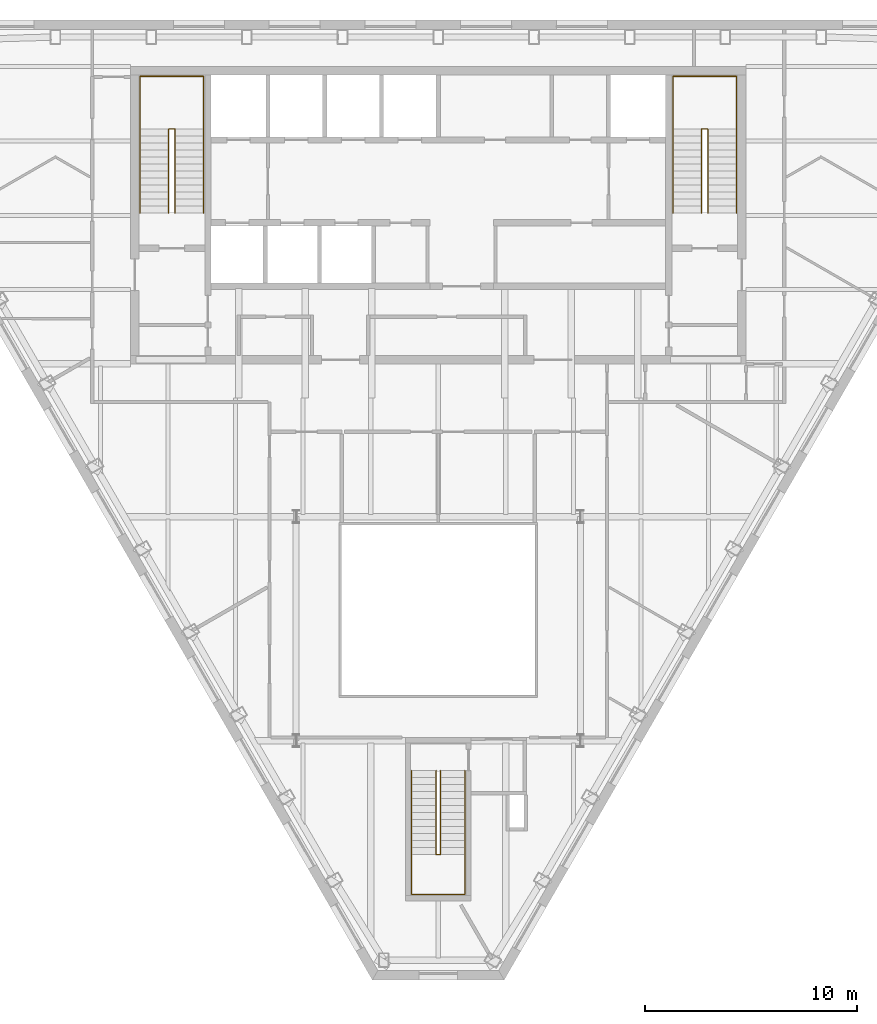
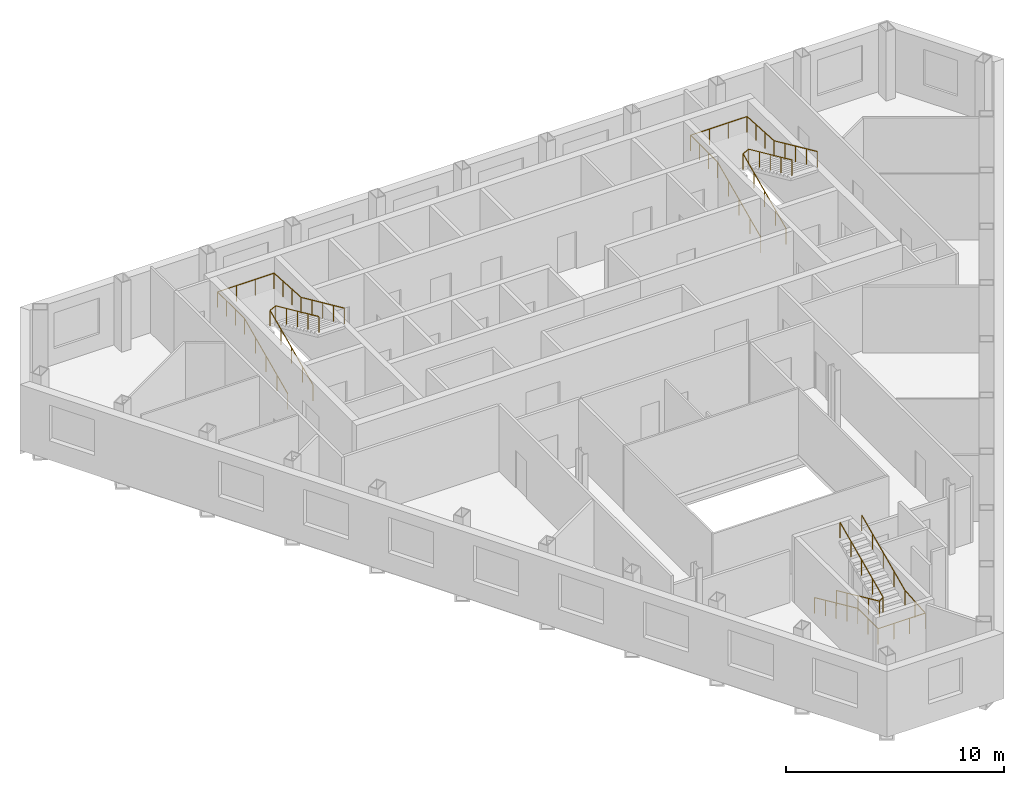
# One storey, part 10 of 10: 6 railings.
"""IFC4 building model written with IfcOpenShell, lengths in metres."""

from ifc_helpers import new_model, si_unit, direction, frame, origin, origin_2d, place, context, subcontext, project, spatial, circle, extrude, material, type_object, element, save


model = new_model("IFC4")

# Units and contexts
model_context = context("Model", 3, precision=1e-05, world=origin(), true_north=direction((0.0, 1.0)))
body_context = subcontext(model_context, "Body", "Model", "MODEL_VIEW")
ifc_project = project(units=[si_unit("LENGTHUNIT", "METRE"), si_unit("AREAUNIT", "SQUARE_METRE"), si_unit("VOLUMEUNIT", "CUBIC_METRE"), si_unit("PLANEANGLEUNIT", "RADIAN"), si_unit("MASSUNIT", "GRAM", prefix="KILO")], contexts=[model_context])

# Site, building, storey
site_placement = place(None, origin())
site = spatial("IfcSite", under=ifc_project, at=site_placement, CompositionType="ELEMENT")
building_placement = place(site_placement, origin())
building = spatial("IfcBuilding", under=site, at=building_placement, Name="Njiva Tower", CompositionType="ELEMENT")
storey_placement = place(building_placement, frame((0.0, 0.0, 245.4)))
storey = spatial("IfcBuildingStorey", under=building, at=storey_placement, Name="L55", CompositionType="ELEMENT", Elevation=245.4)

# Railings
ifc_material = material(Name="Stainless steel", Category="steel")
railing_type = type_object("IfcRailingType", Name="RL1 Stair handrail 900", PredefinedType="HANDRAIL", material=ifc_material)
railing_1_placement = place(storey_placement, frame((-14.05, 11.1, 0.15)))
element("IfcRailing", 1, at=railing_1_placement, inside=storey, type_object=railing_type, Name="Stair A handrail", PredefinedType="HANDRAIL", context=body_context, shape_type="SweptSolid", body=[
    extrude(circle(Radius=0.024, at=origin_2d()), frame((0.0, 0.0, 0.876), z_axis=(0.0, 0.910366477463, 0.413802944301), x_axis=(-1.0, 0.0, 0.0)), (0.0, 0.0, 1.0), 4.3499),
    extrude(circle(Radius=0.024, at=origin_2d()), frame((0.0, 3.96, 2.676), z_axis=(0.0, 1.0, 0.0), x_axis=(-1.0, 0.0, 0.0)), (0.0, 0.0, 1.0), 2.49),
    extrude(circle(Radius=0.024, at=origin_2d()), frame((0.0, 6.45, 2.676), z_axis=(1.0, 0.0, 0.0), x_axis=(0.0, 1.0, 0.0)), (0.0, 0.0, 1.0), 3.0),
    extrude(circle(Radius=0.024, at=origin_2d()), frame((3.0, 6.45, 2.676), z_axis=(0.0, -0.998190436793, 0.060131954024), x_axis=(1.0, 0.0, 0.0)), (0.0, 0.0, 1.0), 2.4945),
    extrude(circle(Radius=0.024, at=origin_2d()), frame((3.0, 3.96, 2.826), z_axis=(0.0, -0.910366477463, 0.413802944301), x_axis=(1.0, 0.0, 0.0)), (0.0, 0.0, 1.0), 4.3499),
    extrude(circle(Radius=0.021, at=origin_2d()), origin(), (0.0, 0.0, 1.0), 0.852),
    extrude(circle(Radius=0.021, at=origin_2d()), frame((0.0, 0.99, 0.45)), (0.0, 0.0, 1.0), 0.852),
    extrude(circle(Radius=0.021, at=origin_2d()), frame((0.0, 1.98, 0.9)), (0.0, 0.0, 1.0), 0.852),
    extrude(circle(Radius=0.021, at=origin_2d()), frame((0.0, 2.97, 1.35)), (0.0, 0.0, 1.0), 0.852),
    extrude(circle(Radius=0.021, at=origin_2d()), frame((0.0, 3.96, 1.8)), (0.0, 0.0, 1.0), 0.852),
    extrude(circle(Radius=0.021, at=origin_2d()), frame((0.0, 4.79, 1.8)), (0.0, 0.0, 1.0), 0.852),
    extrude(circle(Radius=0.021, at=origin_2d()), frame((0.0, 5.62, 1.8)), (0.0, 0.0, 1.0), 0.852),
    extrude(circle(Radius=0.021, at=origin_2d()), frame((0.0, 6.45, 1.8)), (0.0, 0.0, 1.0), 0.852),
    extrude(circle(Radius=0.021, at=origin_2d()), frame((1.0, 6.45, 1.8)), (0.0, 0.0, 1.0), 0.852),
    extrude(circle(Radius=0.021, at=origin_2d()), frame((2.0, 6.45, 1.8)), (0.0, 0.0, 1.0), 0.852),
    extrude(circle(Radius=0.021, at=origin_2d()), frame((3.0, 6.45, 1.8)), (0.0, 0.0, 1.0), 0.852),
    extrude(circle(Radius=0.021, at=origin_2d()), frame((3.0, 5.62, 1.85)), (0.0, 0.0, 1.0), 0.852),
    extrude(circle(Radius=0.021, at=origin_2d()), frame((3.0, 4.79, 1.9)), (0.0, 0.0, 1.0), 0.852),
    extrude(circle(Radius=0.021, at=origin_2d()), frame((3.0, 3.96, 1.95)), (0.0, 0.0, 1.0), 0.852),
    extrude(circle(Radius=0.021, at=origin_2d()), frame((3.0, 2.97, 2.4)), (0.0, 0.0, 1.0), 0.852),
    extrude(circle(Radius=0.021, at=origin_2d()), frame((3.0, 1.98, 2.85)), (0.0, 0.0, 1.0), 0.852),
    extrude(circle(Radius=0.021, at=origin_2d()), frame((3.0, 0.99, 3.3)), (0.0, 0.0, 1.0), 0.852),
    extrude(circle(Radius=0.021, at=origin_2d()), frame((3.0, 0.0, 3.75)), (0.0, 0.0, 1.0), 0.852),
])
railing_2_placement = place(storey_placement, frame((-12.7, 11.1, 0.15)))
element("IfcRailing", 2, at=railing_2_placement, inside=storey, type_object=railing_type, Name="Stair A handrail", PredefinedType="HANDRAIL", context=body_context, shape_type="SweptSolid", body=[
    extrude(circle(Radius=0.024, at=origin_2d()), frame((0.0, 0.0, 0.876), z_axis=(0.0, 0.910366477463, 0.413802944301), x_axis=(-1.0, 0.0, 0.0)), (0.0, 0.0, 1.0), 4.3499),
    extrude(circle(Radius=0.024, at=origin_2d()), frame((0.0, 3.96, 2.676), z_axis=(0.894427191, 0.0, 0.4472135955), x_axis=(0.0, 1.0, 0.0)), (0.0, 0.0, 1.0), 0.3354),
    extrude(circle(Radius=0.024, at=origin_2d()), frame((0.3, 3.96, 2.826), z_axis=(0.0, -0.910366477463, 0.413802944301), x_axis=(1.0, 0.0, 0.0)), (0.0, 0.0, 1.0), 4.3499),
    extrude(circle(Radius=0.021, at=origin_2d()), origin(), (0.0, 0.0, 1.0), 0.852),
    extrude(circle(Radius=0.021, at=origin_2d()), frame((0.0, 0.99, 0.45)), (0.0, 0.0, 1.0), 0.852),
    extrude(circle(Radius=0.021, at=origin_2d()), frame((0.0, 1.98, 0.9)), (0.0, 0.0, 1.0), 0.852),
    extrude(circle(Radius=0.021, at=origin_2d()), frame((0.0, 2.97, 1.35)), (0.0, 0.0, 1.0), 0.852),
    extrude(circle(Radius=0.021, at=origin_2d()), frame((0.0, 3.96, 1.8)), (0.0, 0.0, 1.0), 0.852),
    extrude(circle(Radius=0.021, at=origin_2d()), frame((0.3, 3.96, 1.95)), (0.0, 0.0, 1.0), 0.852),
    extrude(circle(Radius=0.021, at=origin_2d()), frame((0.3, 2.97, 2.4)), (0.0, 0.0, 1.0), 0.852),
    extrude(circle(Radius=0.021, at=origin_2d()), frame((0.3, 1.98, 2.85)), (0.0, 0.0, 1.0), 0.852),
    extrude(circle(Radius=0.021, at=origin_2d()), frame((0.3, 0.99, 3.3)), (0.0, 0.0, 1.0), 0.852),
    extrude(circle(Radius=0.021, at=origin_2d()), frame((0.3, 0.0, 3.75)), (0.0, 0.0, 1.0), 0.852),
])
railing_3_placement = place(storey_placement, frame((11.05, 11.1, 0.15)))
element("IfcRailing", 3, at=railing_3_placement, inside=storey, type_object=railing_type, Name="Stair B handrail", PredefinedType="HANDRAIL", context=body_context, shape_type="SweptSolid", body=[
    extrude(circle(Radius=0.024, at=origin_2d()), frame((0.0, 0.0, 0.876), z_axis=(0.0, 0.910366477463, 0.413802944301), x_axis=(-1.0, 0.0, 0.0)), (0.0, 0.0, 1.0), 4.3499),
    extrude(circle(Radius=0.024, at=origin_2d()), frame((0.0, 3.96, 2.676), z_axis=(0.0, 1.0, 0.0), x_axis=(-1.0, 0.0, 0.0)), (0.0, 0.0, 1.0), 2.49),
    extrude(circle(Radius=0.024, at=origin_2d()), frame((0.0, 6.45, 2.676), z_axis=(1.0, 0.0, 0.0), x_axis=(0.0, 1.0, 0.0)), (0.0, 0.0, 1.0), 3.0),
    extrude(circle(Radius=0.024, at=origin_2d()), frame((3.0, 6.45, 2.676), z_axis=(0.0, -0.998190436793, 0.060131954024), x_axis=(1.0, 0.0, 0.0)), (0.0, 0.0, 1.0), 2.4945),
    extrude(circle(Radius=0.024, at=origin_2d()), frame((3.0, 3.96, 2.826), z_axis=(0.0, -0.910366477463, 0.413802944301), x_axis=(1.0, 0.0, 0.0)), (0.0, 0.0, 1.0), 4.3499),
    extrude(circle(Radius=0.021, at=origin_2d()), origin(), (0.0, 0.0, 1.0), 0.852),
    extrude(circle(Radius=0.021, at=origin_2d()), frame((0.0, 0.99, 0.45)), (0.0, 0.0, 1.0), 0.852),
    extrude(circle(Radius=0.021, at=origin_2d()), frame((0.0, 1.98, 0.9)), (0.0, 0.0, 1.0), 0.852),
    extrude(circle(Radius=0.021, at=origin_2d()), frame((0.0, 2.97, 1.35)), (0.0, 0.0, 1.0), 0.852),
    extrude(circle(Radius=0.021, at=origin_2d()), frame((0.0, 3.96, 1.8)), (0.0, 0.0, 1.0), 0.852),
    extrude(circle(Radius=0.021, at=origin_2d()), frame((0.0, 4.79, 1.8)), (0.0, 0.0, 1.0), 0.852),
    extrude(circle(Radius=0.021, at=origin_2d()), frame((0.0, 5.62, 1.8)), (0.0, 0.0, 1.0), 0.852),
    extrude(circle(Radius=0.021, at=origin_2d()), frame((0.0, 6.45, 1.8)), (0.0, 0.0, 1.0), 0.852),
    extrude(circle(Radius=0.021, at=origin_2d()), frame((1.0, 6.45, 1.8)), (0.0, 0.0, 1.0), 0.852),
    extrude(circle(Radius=0.021, at=origin_2d()), frame((2.0, 6.45, 1.8)), (0.0, 0.0, 1.0), 0.852),
    extrude(circle(Radius=0.021, at=origin_2d()), frame((3.0, 6.45, 1.8)), (0.0, 0.0, 1.0), 0.852),
    extrude(circle(Radius=0.021, at=origin_2d()), frame((3.0, 5.62, 1.85)), (0.0, 0.0, 1.0), 0.852),
    extrude(circle(Radius=0.021, at=origin_2d()), frame((3.0, 4.79, 1.9)), (0.0, 0.0, 1.0), 0.852),
    extrude(circle(Radius=0.021, at=origin_2d()), frame((3.0, 3.96, 1.95)), (0.0, 0.0, 1.0), 0.852),
    extrude(circle(Radius=0.021, at=origin_2d()), frame((3.0, 2.97, 2.4)), (0.0, 0.0, 1.0), 0.852),
    extrude(circle(Radius=0.021, at=origin_2d()), frame((3.0, 1.98, 2.85)), (0.0, 0.0, 1.0), 0.852),
    extrude(circle(Radius=0.021, at=origin_2d()), frame((3.0, 0.99, 3.3)), (0.0, 0.0, 1.0), 0.852),
    extrude(circle(Radius=0.021, at=origin_2d()), frame((3.0, 0.0, 3.75)), (0.0, 0.0, 1.0), 0.852),
])
railing_4_placement = place(storey_placement, frame((12.4, 11.1, 0.15)))
element("IfcRailing", 4, at=railing_4_placement, inside=storey, type_object=railing_type, Name="Stair B handrail", PredefinedType="HANDRAIL", context=body_context, shape_type="SweptSolid", body=[
    extrude(circle(Radius=0.024, at=origin_2d()), frame((0.0, 0.0, 0.876), z_axis=(0.0, 0.910366477463, 0.413802944301), x_axis=(-1.0, 0.0, 0.0)), (0.0, 0.0, 1.0), 4.3499),
    extrude(circle(Radius=0.024, at=origin_2d()), frame((0.0, 3.96, 2.676), z_axis=(0.894427191, 0.0, 0.4472135955), x_axis=(0.0, 1.0, 0.0)), (0.0, 0.0, 1.0), 0.3354),
    extrude(circle(Radius=0.024, at=origin_2d()), frame((0.3, 3.96, 2.826), z_axis=(0.0, -0.910366477463, 0.413802944301), x_axis=(1.0, 0.0, 0.0)), (0.0, 0.0, 1.0), 4.3499),
    extrude(circle(Radius=0.021, at=origin_2d()), origin(), (0.0, 0.0, 1.0), 0.852),
    extrude(circle(Radius=0.021, at=origin_2d()), frame((0.0, 0.99, 0.45)), (0.0, 0.0, 1.0), 0.852),
    extrude(circle(Radius=0.021, at=origin_2d()), frame((0.0, 1.98, 0.9)), (0.0, 0.0, 1.0), 0.852),
    extrude(circle(Radius=0.021, at=origin_2d()), frame((0.0, 2.97, 1.35)), (0.0, 0.0, 1.0), 0.852),
    extrude(circle(Radius=0.021, at=origin_2d()), frame((0.0, 3.96, 1.8)), (0.0, 0.0, 1.0), 0.852),
    extrude(circle(Radius=0.021, at=origin_2d()), frame((0.3, 3.96, 1.95)), (0.0, 0.0, 1.0), 0.852),
    extrude(circle(Radius=0.021, at=origin_2d()), frame((0.3, 2.97, 2.4)), (0.0, 0.0, 1.0), 0.852),
    extrude(circle(Radius=0.021, at=origin_2d()), frame((0.3, 1.98, 2.85)), (0.0, 0.0, 1.0), 0.852),
    extrude(circle(Radius=0.021, at=origin_2d()), frame((0.3, 0.99, 3.3)), (0.0, 0.0, 1.0), 0.852),
    extrude(circle(Radius=0.021, at=origin_2d()), frame((0.3, 0.0, 3.75)), (0.0, 0.0, 1.0), 0.852),
])
railing_5_placement = place(storey_placement, frame((-1.25, -15.16, 0.15)))
element("IfcRailing", 5, at=railing_5_placement, inside=storey, type_object=railing_type, Name="Stair C handrail", PredefinedType="HANDRAIL", context=body_context, shape_type="SweptSolid", body=[
    extrude(circle(Radius=0.024, at=origin_2d()), frame((0.0, 0.0, 0.876), z_axis=(0.0, -0.910366477463, 0.413802944301), x_axis=(1.0, 0.0, 0.0)), (0.0, 0.0, 1.0), 4.3499),
    extrude(circle(Radius=0.024, at=origin_2d()), frame((0.0, -3.96, 2.676), z_axis=(0.0, -1.0, 0.0), x_axis=(1.0, 0.0, 0.0)), (0.0, 0.0, 1.0), 1.88),
    extrude(circle(Radius=0.024, at=origin_2d()), frame((0.0, -5.84, 2.676), z_axis=(1.0, 0.0, 0.0), x_axis=(0.0, 1.0, 0.0)), (0.0, 0.0, 1.0), 2.5),
    extrude(circle(Radius=0.024, at=origin_2d()), frame((2.5, -5.84, 2.676), z_axis=(0.0, 0.996832115713, 0.079534477318), x_axis=(-1.0, 0.0, 0.0)), (0.0, 0.0, 1.0), 1.886),
    extrude(circle(Radius=0.024, at=origin_2d()), frame((2.5, -3.96, 2.826), z_axis=(0.0, 0.910366477463, 0.413802944301), x_axis=(-1.0, 0.0, 0.0)), (0.0, 0.0, 1.0), 4.3499),
    extrude(circle(Radius=0.021, at=origin_2d()), origin(), (0.0, 0.0, 1.0), 0.852),
    extrude(circle(Radius=0.021, at=origin_2d()), frame((0.0, -0.99, 0.45)), (0.0, 0.0, 1.0), 0.852),
    extrude(circle(Radius=0.021, at=origin_2d()), frame((0.0, -1.98, 0.9)), (0.0, 0.0, 1.0), 0.852),
    extrude(circle(Radius=0.021, at=origin_2d()), frame((0.0, -2.97, 1.35)), (0.0, 0.0, 1.0), 0.852),
    extrude(circle(Radius=0.021, at=origin_2d()), frame((0.0, -3.96, 1.8)), (0.0, 0.0, 1.0), 0.852),
    extrude(circle(Radius=0.021, at=origin_2d()), frame((0.0, -4.9, 1.8)), (0.0, 0.0, 1.0), 0.852),
    extrude(circle(Radius=0.021, at=origin_2d()), frame((0.0, -5.84, 1.8)), (0.0, 0.0, 1.0), 0.852),
    extrude(circle(Radius=0.021, at=origin_2d()), frame((0.8333, -5.84, 1.8)), (0.0, 0.0, 1.0), 0.852),
    extrude(circle(Radius=0.021, at=origin_2d()), frame((1.6667, -5.84, 1.8)), (0.0, 0.0, 1.0), 0.852),
    extrude(circle(Radius=0.021, at=origin_2d()), frame((2.5, -5.84, 1.8)), (0.0, 0.0, 1.0), 0.852),
    extrude(circle(Radius=0.021, at=origin_2d()), frame((2.5, -4.9, 1.875)), (0.0, 0.0, 1.0), 0.852),
    extrude(circle(Radius=0.021, at=origin_2d()), frame((2.5, -3.96, 1.95)), (0.0, 0.0, 1.0), 0.852),
    extrude(circle(Radius=0.021, at=origin_2d()), frame((2.5, -2.97, 2.4)), (0.0, 0.0, 1.0), 0.852),
    extrude(circle(Radius=0.021, at=origin_2d()), frame((2.5, -1.98, 2.85)), (0.0, 0.0, 1.0), 0.852),
    extrude(circle(Radius=0.021, at=origin_2d()), frame((2.5, -0.99, 3.3)), (0.0, 0.0, 1.0), 0.852),
    extrude(circle(Radius=0.021, at=origin_2d()), frame((2.5, 0.0, 3.75)), (0.0, 0.0, 1.0), 0.852),
])
railing_6_placement = place(storey_placement, frame((-0.1, -15.16, 0.15)))
element("IfcRailing", 6, at=railing_6_placement, inside=storey, type_object=railing_type, Name="Stair C handrail", PredefinedType="HANDRAIL", context=body_context, shape_type="SweptSolid", body=[
    extrude(circle(Radius=0.024, at=origin_2d()), frame((0.0, 0.0, 0.876), z_axis=(0.0, -0.910366477463, 0.413802944301), x_axis=(1.0, 0.0, 0.0)), (0.0, 0.0, 1.0), 4.3499),
    extrude(circle(Radius=0.024, at=origin_2d()), frame((0.0, -3.96, 2.676), z_axis=(0.8, 0.0, 0.6), x_axis=(0.0, 1.0, 0.0)), (0.0, 0.0, 1.0), 0.25),
    extrude(circle(Radius=0.024, at=origin_2d()), frame((0.2, -3.96, 2.826), z_axis=(0.0, 0.910366477463, 0.413802944301), x_axis=(-1.0, 0.0, 0.0)), (0.0, 0.0, 1.0), 4.3499),
    extrude(circle(Radius=0.021, at=origin_2d()), origin(), (0.0, 0.0, 1.0), 0.852),
    extrude(circle(Radius=0.021, at=origin_2d()), frame((0.0, -0.99, 0.45)), (0.0, 0.0, 1.0), 0.852),
    extrude(circle(Radius=0.021, at=origin_2d()), frame((0.0, -1.98, 0.9)), (0.0, 0.0, 1.0), 0.852),
    extrude(circle(Radius=0.021, at=origin_2d()), frame((0.0, -2.97, 1.35)), (0.0, 0.0, 1.0), 0.852),
    extrude(circle(Radius=0.021, at=origin_2d()), frame((0.0, -3.96, 1.8)), (0.0, 0.0, 1.0), 0.852),
    extrude(circle(Radius=0.021, at=origin_2d()), frame((0.2, -3.96, 1.95)), (0.0, 0.0, 1.0), 0.852),
    extrude(circle(Radius=0.021, at=origin_2d()), frame((0.2, -2.97, 2.4)), (0.0, 0.0, 1.0), 0.852),
    extrude(circle(Radius=0.021, at=origin_2d()), frame((0.2, -1.98, 2.85)), (0.0, 0.0, 1.0), 0.852),
    extrude(circle(Radius=0.021, at=origin_2d()), frame((0.2, -0.99, 3.3)), (0.0, 0.0, 1.0), 0.852),
    extrude(circle(Radius=0.021, at=origin_2d()), frame((0.2, 0.0, 3.75)), (0.0, 0.0, 1.0), 0.852),
])

save(model, "model.ifc")
